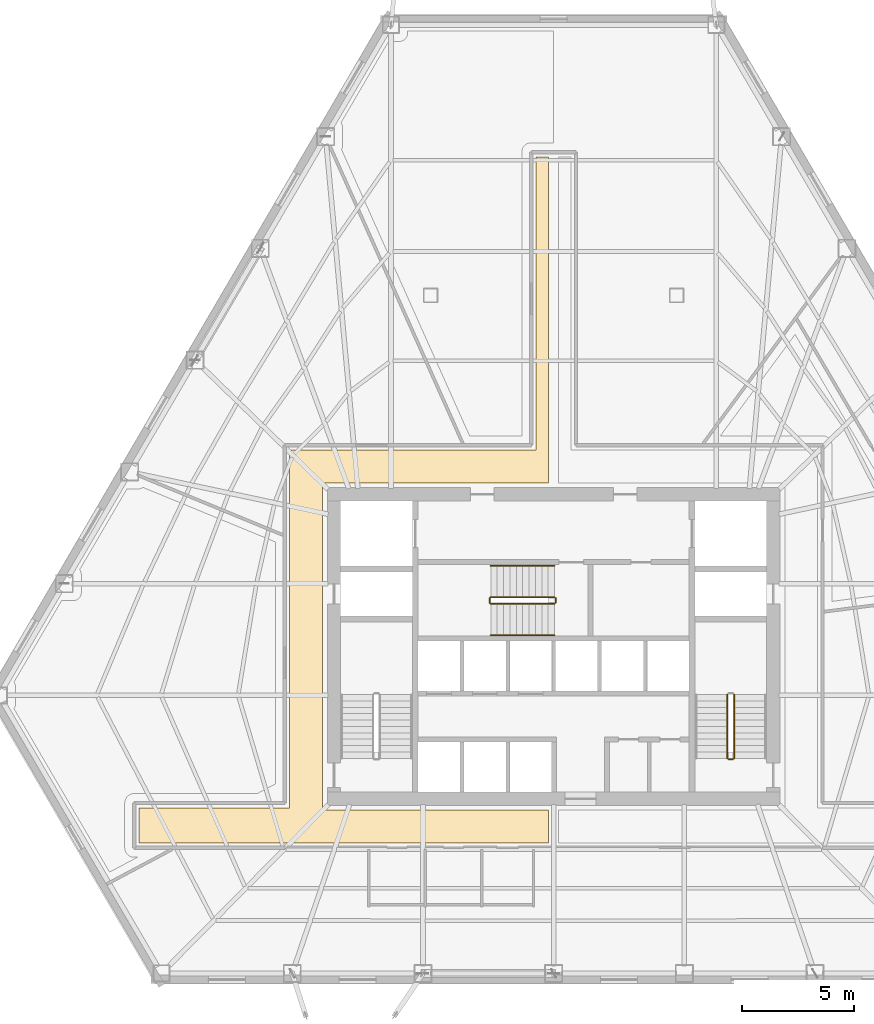
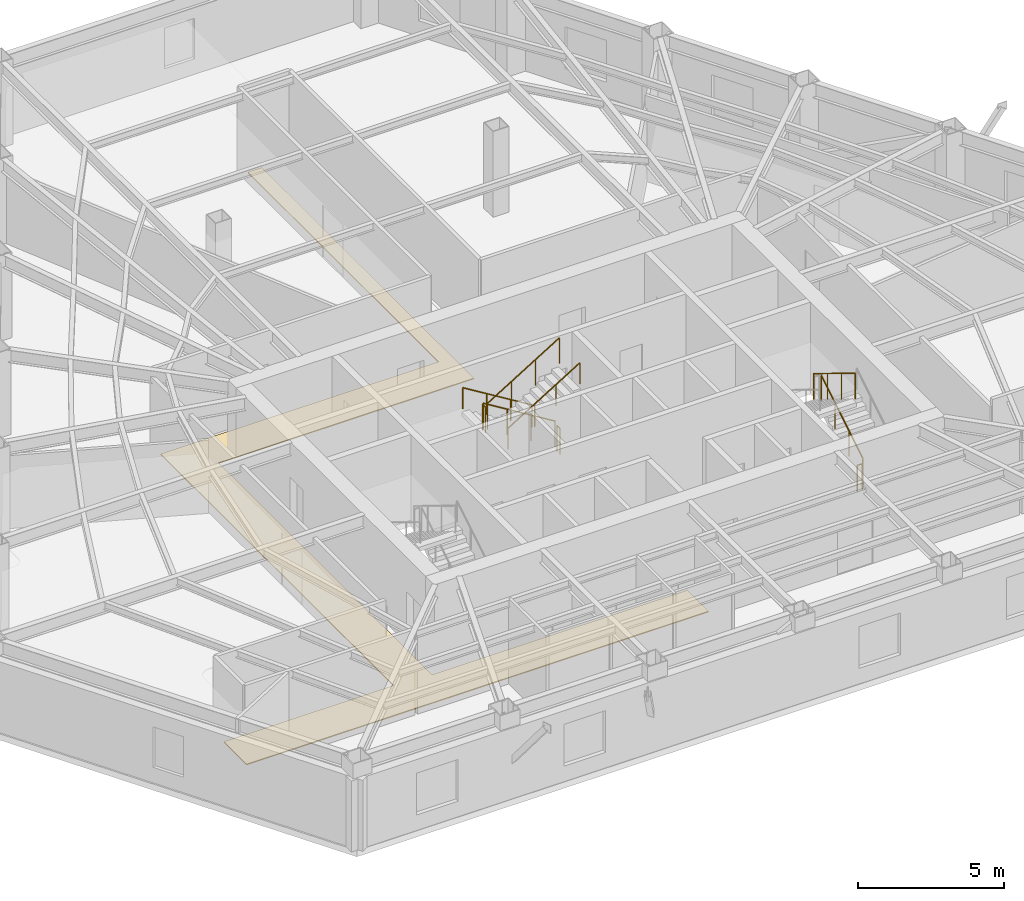
# One storey, part 11 of 13: 9 railings, 1 covering.
"""IFC4 building model written with IfcOpenShell, lengths in metres."""

from ifc_helpers import new_model, si_unit, direction, frame, origin, origin_2d, place, context, subcontext, project, spatial, polyline, circle, outline, extrude, material, layer, layer_set, type_object, element, save


model = new_model("IFC4")

# Units and contexts
model_context = context("Model", 3, precision=1e-05, world=origin(), true_north=direction((0.0, 1.0)))
body_context = subcontext(model_context, "Body", "Model", "MODEL_VIEW")
ifc_project = project(units=[si_unit("LENGTHUNIT", "METRE"), si_unit("AREAUNIT", "SQUARE_METRE"), si_unit("VOLUMEUNIT", "CUBIC_METRE"), si_unit("PLANEANGLEUNIT", "RADIAN"), si_unit("MASSUNIT", "GRAM", prefix="KILO")], contexts=[model_context])

# Site, building, storey
site_placement = place(None, origin())
site = spatial("IfcSite", under=ifc_project, at=site_placement, CompositionType="ELEMENT")
building_placement = place(site_placement, origin())
building = spatial("IfcBuilding", under=site, at=building_placement, Name="Kavelnor Concourse Tower", CompositionType="ELEMENT")
storey_placement = place(building_placement, frame((0.0, 0.0, 59.89990234375)))
storey = spatial("IfcBuildingStorey", under=building, at=storey_placement, Name="L15", CompositionType="ELEMENT", Elevation=59.89990234375)

# Covering
ifc_material_1 = material(Name="Honed bluestone and raised access floor finish", Category="masonry")
ifc_layer = layer(ifc_material_1, 0.0400390625, Name="Honed bluestone and raised access floor finish")
ifc_layer_set = layer_set([ifc_layer], Name="Honed bluestone and raised access floor finish")
covering_type = type_object("IfcCoveringType", Name="COV-FLOOR-STONE", PredefinedType="FLOORING", material=ifc_layer_set)
covering_placement = place(storey_placement, frame((0.0, 0.0, 0.002197265625)))
element("IfcCovering", 1, at=covering_placement, inside=storey, type_object=covering_type, Name="L15 Honed Bluestone Floor Finish", PredefinedType="FLOORING", context=body_context, shape_type="SweptSolid", body=[
    extrude(outline(polyline([(37.219970703125, 37.97998046875), (37.77490234375, 37.97998046875), (37.77490234375, 23.419921875), (27.659912109375, 23.419921875), (27.659912109375, 8.780029296875), (37.77490234375, 8.780029296875), (37.77490234375, 7.320068359375), (19.46630859375, 7.320068359375), (19.46630859375, 8.8798828125), (26.199951171875, 8.8798828125), (26.199951171875, 24.8798828125), (37.219970703125, 24.8798828125), (37.219970703125, 37.97998046875)])), origin(), (0.0, 0.0, 1.0), 0.039794921875),
])

# Railings
ifc_material_2 = material(Name="Steel Grade 350", Category="steel")
railing_type_1 = type_object("IfcRailingType", Name="RLG-GUARD-1100", PredefinedType="GUARDRAIL", material=ifc_material_2)
railing_1_placement = place(storey_placement, frame((46.070068359375, 11.10009765625, 0.175048828125)))
element("IfcRailing", 2, at=railing_1_placement, inside=storey, type_object=railing_type_1, Name="L15 ST2 stair guard 1", PredefinedType="GUARDRAIL", context=body_context, shape_type="SweptSolid", body=[
    extrude(circle(Radius=0.02392578125, at=origin_2d()), frame((0.0, 0.0, 1.076171875), z_axis=(0.0, 0.852159232446, 0.523282564737), x_axis=(-1.0, 0.0, 0.0)), (0.0, 0.0, 1.0), 3.34423828125),
    extrude(circle(Radius=0.02099609375, at=origin_2d()), origin(), (0.0, 0.0, 1.0), 1.052001953125),
    extrude(circle(Radius=0.02099609375, at=origin_2d()), frame((0.0, 0.949951171875, 0.583251953125)), (0.0, 0.0, 1.0), 1.052001953125),
    extrude(circle(Radius=0.02099609375, at=origin_2d()), frame((0.0, 1.89990234375, 1.166748046875)), (0.0, 0.0, 1.0), 1.052001953125),
    extrude(circle(Radius=0.02099609375, at=origin_2d()), frame((0.0, 2.849853515625, 1.75)), (0.0, 0.0, 1.0), 1.052001953125),
])
railing_2_placement = place(storey_placement, frame((45.77001953125, 13.949951171875, 2.10009765625)))
element("IfcRailing", 3, at=railing_2_placement, inside=storey, type_object=railing_type_1, Name="L15 ST2 stair guard 3", PredefinedType="GUARDRAIL", context=body_context, shape_type="SweptSolid", body=[
    extrude(circle(Radius=0.02392578125, at=origin_2d()), frame((0.0, 0.0, 1.076171875), z_axis=(0.0, -0.852159232446, 0.523282564737), x_axis=(1.0, 0.0, 0.0)), (0.0, 0.0, 1.0), 3.34423828125),
    extrude(circle(Radius=0.02099609375, at=origin_2d()), origin(), (0.0, 0.0, 1.0), 1.052001953125),
    extrude(circle(Radius=0.02099609375, at=origin_2d()), frame((0.0, -0.949951171875, 0.583251953125)), (0.0, 0.0, 1.0), 1.052001953125),
    extrude(circle(Radius=0.02099609375, at=origin_2d()), frame((0.0, -1.89990234375, 1.166748046875)), (0.0, 0.0, 1.0), 1.052001953125),
    extrude(circle(Radius=0.02099609375, at=origin_2d()), frame((0.0, -2.849853515625, 1.75)), (0.0, 0.0, 1.0), 1.052001953125),
])
railing_3_placement = place(storey_placement, frame((46.02001953125, 11.050048828125, 0.0)))
element("IfcRailing", 4, at=railing_3_placement, inside=storey, type_object=railing_type_1, Name="L15 ST2 stair guard 4", PredefinedType="GUARDRAIL", context=body_context, shape_type="SweptSolid", body=[
    extrude(circle(Radius=0.02392578125, at=origin_2d()), frame((0.0, 0.0, 1.076171875), z_axis=(-1.0, 0.0, 0.0), x_axis=(0.0, -1.0, 0.0)), (0.0, 0.0, 1.0), 0.199951171875),
    extrude(circle(Radius=0.02099609375, at=origin_2d()), origin(), (0.0, 0.0, 1.0), 1.052001953125),
    extrude(circle(Radius=0.02099609375, at=origin_2d()), frame((-0.199951171875, 0.0, 0.0)), (0.0, 0.0, 1.0), 1.052001953125),
])
railing_4_placement = place(storey_placement, frame((38.0400390625, 18.31005859375, 0.175048828125)))
element("IfcRailing", 5, at=railing_4_placement, inside=storey, type_object=railing_type_1, Name="L15 ST3 stair guard 1", PredefinedType="GUARDRAIL", context=body_context, shape_type="SweptSolid", body=[
    extrude(circle(Radius=0.02392578125, at=origin_2d()), frame((0.0, 0.0, 1.076171875), z_axis=(-0.852179220489, 0.0, 0.52325001306), x_axis=(0.0, -1.0, 0.0)), (0.0, 0.0, 1.0), 3.344482421875),
    extrude(circle(Radius=0.02099609375, at=origin_2d()), origin(), (0.0, 0.0, 1.0), 1.052001953125),
    extrude(circle(Radius=0.02099609375, at=origin_2d()), frame((-0.949951171875, 0.0, 0.583251953125)), (0.0, 0.0, 1.0), 1.052001953125),
    extrude(circle(Radius=0.02099609375, at=origin_2d()), frame((-1.900146484375, 0.0, 1.166748046875)), (0.0, 0.0, 1.0), 1.052001953125),
    extrude(circle(Radius=0.02099609375, at=origin_2d()), frame((-2.85009765625, 0.0, 1.75)), (0.0, 0.0, 1.0), 1.052001953125),
])
railing_5_placement = place(storey_placement, frame((35.139892578125, 18.260009765625, 1.925048828125)))
element("IfcRailing", 6, at=railing_5_placement, inside=storey, type_object=railing_type_1, Name="L15 ST3 stair guard 2", PredefinedType="GUARDRAIL", context=body_context, shape_type="SweptSolid", body=[
    extrude(circle(Radius=0.02392578125, at=origin_2d()), frame((0.0, 0.0, 1.076171875), z_axis=(0.0, -1.0, 0.0), x_axis=(1.0, 0.0, 0.0)), (0.0, 0.0, 1.0), 0.199951171875),
    extrude(circle(Radius=0.02099609375, at=origin_2d()), origin(), (0.0, 0.0, 1.0), 1.052001953125),
    extrude(circle(Radius=0.02099609375, at=origin_2d()), frame((0.0, -0.199951171875, 0.0)), (0.0, 0.0, 1.0), 1.052001953125),
])
railing_6_placement = place(storey_placement, frame((35.18994140625, 18.010009765625, 2.10009765625)))
element("IfcRailing", 7, at=railing_6_placement, inside=storey, type_object=railing_type_1, Name="L15 ST3 stair guard 3", PredefinedType="GUARDRAIL", context=body_context, shape_type="SweptSolid", body=[
    extrude(circle(Radius=0.02392578125, at=origin_2d()), frame((0.0, 0.0, 1.076171875), z_axis=(0.852179220489, 0.0, 0.52325001306), x_axis=(0.0, 1.0, 0.0)), (0.0, 0.0, 1.0), 3.344482421875),
    extrude(circle(Radius=0.02099609375, at=origin_2d()), origin(), (0.0, 0.0, 1.0), 1.052001953125),
    extrude(circle(Radius=0.02099609375, at=origin_2d()), frame((0.949951171875, 0.0, 0.583251953125)), (0.0, 0.0, 1.0), 1.052001953125),
    extrude(circle(Radius=0.02099609375, at=origin_2d()), frame((1.900146484375, 0.0, 1.166748046875)), (0.0, 0.0, 1.0), 1.052001953125),
    extrude(circle(Radius=0.02099609375, at=origin_2d()), frame((2.85009765625, 0.0, 1.75)), (0.0, 0.0, 1.0), 1.052001953125),
])
railing_7_placement = place(storey_placement, frame((38.090087890625, 18.260009765625, 0.0)))
element("IfcRailing", 8, at=railing_7_placement, inside=storey, type_object=railing_type_1, Name="L15 ST3 stair guard 4", PredefinedType="GUARDRAIL", context=body_context, shape_type="SweptSolid", body=[
    extrude(circle(Radius=0.02392578125, at=origin_2d()), frame((0.0, 0.0, 1.076171875), z_axis=(0.0, -1.0, 0.0), x_axis=(1.0, 0.0, 0.0)), (0.0, 0.0, 1.0), 0.199951171875),
    extrude(circle(Radius=0.02099609375, at=origin_2d()), origin(), (0.0, 0.0, 1.0), 1.052001953125),
    extrude(circle(Radius=0.02099609375, at=origin_2d()), frame((0.0, -0.199951171875, 0.0)), (0.0, 0.0, 1.0), 1.052001953125),
])
railing_type_2 = type_object("IfcRailingType", Name="RLG-HANDRAIL-900", PredefinedType="HANDRAIL", material=ifc_material_2)
railing_8_placement = place(storey_placement, frame((38.0400390625, 19.7099609375, 0.175048828125)))
element("IfcRailing", 9, at=railing_8_placement, inside=storey, type_object=railing_type_2, Name="L15 ST3 stair handrail 1", PredefinedType="HANDRAIL", context=body_context, shape_type="SweptSolid", body=[
    extrude(circle(Radius=0.02392578125, at=origin_2d()), frame((0.0, 0.0, 0.8759765625), z_axis=(-0.852179220489, 0.0, 0.52325001306), x_axis=(0.0, -1.0, 0.0)), (0.0, 0.0, 1.0), 3.344482421875),
    extrude(circle(Radius=0.02099609375, at=origin_2d()), origin(), (0.0, 0.0, 1.0), 0.851806640625),
    extrude(circle(Radius=0.02099609375, at=origin_2d()), frame((-0.949951171875, 0.0, 0.583251953125)), (0.0, 0.0, 1.0), 0.851806640625),
    extrude(circle(Radius=0.02099609375, at=origin_2d()), frame((-1.900146484375, 0.0, 1.166748046875)), (0.0, 0.0, 1.0), 0.851806640625),
    extrude(circle(Radius=0.02099609375, at=origin_2d()), frame((-2.85009765625, 0.0, 1.75)), (0.0, 0.0, 1.0), 0.851806640625),
])
railing_9_placement = place(storey_placement, frame((35.18994140625, 16.610107421875, 2.10009765625)))
element("IfcRailing", 10, at=railing_9_placement, inside=storey, type_object=railing_type_2, Name="L15 ST3 stair handrail 2", PredefinedType="HANDRAIL", context=body_context, shape_type="SweptSolid", body=[
    extrude(circle(Radius=0.02392578125, at=origin_2d()), frame((0.0, 0.0, 0.8759765625), z_axis=(0.852179220489, 0.0, 0.52325001306), x_axis=(0.0, 1.0, 0.0)), (0.0, 0.0, 1.0), 3.344482421875),
    extrude(circle(Radius=0.02099609375, at=origin_2d()), origin(), (0.0, 0.0, 1.0), 0.851806640625),
    extrude(circle(Radius=0.02099609375, at=origin_2d()), frame((0.949951171875, 0.0, 0.583251953125)), (0.0, 0.0, 1.0), 0.851806640625),
    extrude(circle(Radius=0.02099609375, at=origin_2d()), frame((1.900146484375, 0.0, 1.166748046875)), (0.0, 0.0, 1.0), 0.851806640625),
    extrude(circle(Radius=0.02099609375, at=origin_2d()), frame((2.85009765625, 0.0, 1.75)), (0.0, 0.0, 1.0), 0.851806640625),
])

save(model, "model.ifc")
